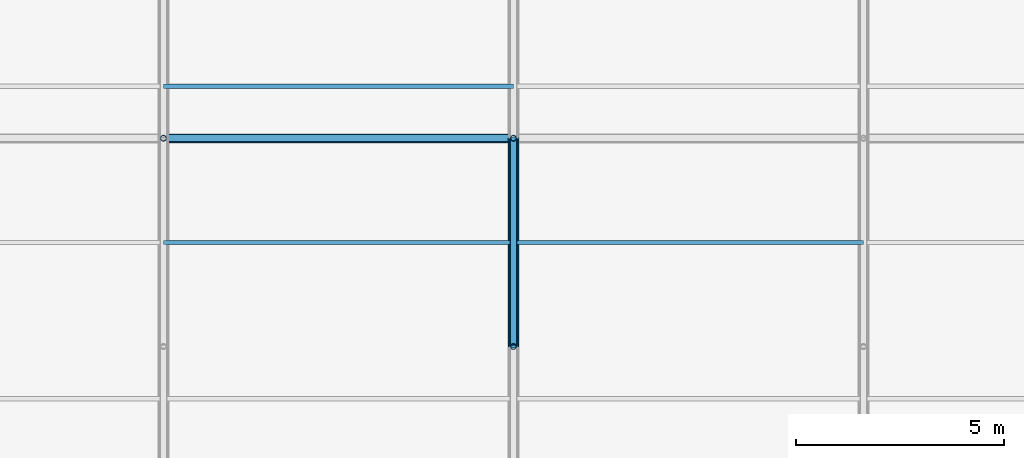
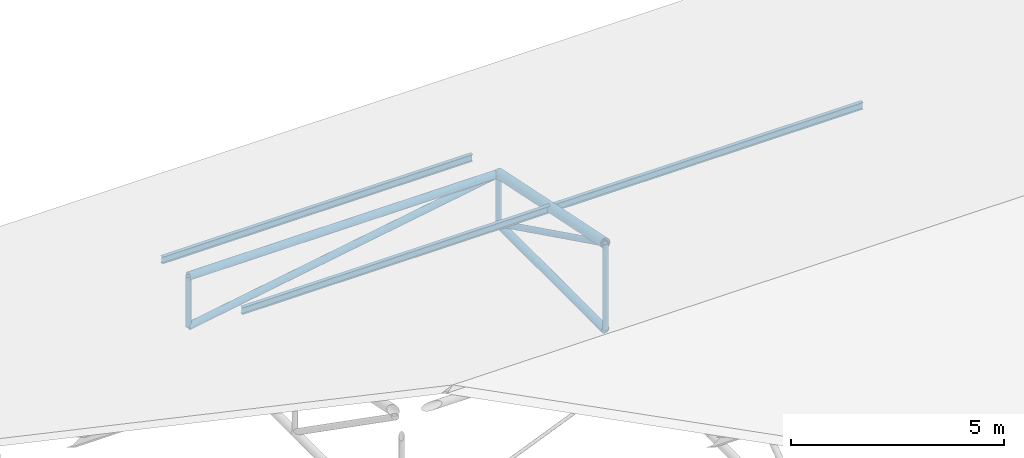
# One storey, part 61 of 194: 8 members, 3 beams.
"""IFC4 building model written with IfcOpenShell, lengths in metres."""

from ifc_helpers import new_model, si_unit, direction, frame, origin, origin_2d, place, context, subcontext, project, spatial, hollow_circle, i_section, extrude, material, material_profile, profile_set, type_object, element, save


model = new_model("IFC4")

# Units and contexts
model_context = context("Model", 3, precision=1e-05, world=origin(), true_north=direction((0.0, 1.0)))
body_context = subcontext(model_context, "Body", "Model", "MODEL_VIEW")
ifc_project = project(units=[si_unit("LENGTHUNIT", "METRE"), si_unit("AREAUNIT", "SQUARE_METRE"), si_unit("VOLUMEUNIT", "CUBIC_METRE"), si_unit("PLANEANGLEUNIT", "RADIAN"), si_unit("MASSUNIT", "GRAM", prefix="KILO")], contexts=[model_context])

# Site, building, storey
site_placement = place(None, origin())
site = spatial("IfcSite", under=ifc_project, at=site_placement, CompositionType="ELEMENT")
building_placement = place(site_placement, origin())
building = spatial("IfcBuilding", under=site, at=building_placement, Name="Kazenagashi Tramway Depot", CompositionType="ELEMENT")
storey_placement = place(building_placement, frame((0.0, 0.0, 23.7)))
storey = spatial("IfcBuildingStorey", under=building, at=storey_placement, Name="ROOF", CompositionType="ELEMENT", Elevation=23.7)

# Beams
ifc_material_1 = material(Name="Steel SN400B", Category="steel")
ifc_material_profile_1 = material_profile(ifc_material_1, i_section(OverallWidth=0.1, OverallDepth=0.2, WebThickness=0.0055, FlangeThickness=0.008, at=origin_2d()), Name="H-200x100x5.5x8")
ifc_profile_set_1 = profile_set([ifc_material_profile_1], Name="Steel SN400B")
beam_type = type_object("IfcBeamType", Name="PR-01", PredefinedType="USERDEFINED", material=ifc_profile_set_1)
for number, where, z_axis, x_axis, name in (
    (1, (112.0, 122.5, -12.13), (1.0, 0.0, 0.0), (0.0, 1.0, 0.0), "Beam PR-01 BM-2206"),
    (2, (120.4, 122.5, -12.13), (1.0, 0.0, 0.0), (0.0, 1.0, 0.0), "Beam PR-01 BM-2207"),
    (3, (112.0, 126.25, -12.955), (1.0, 0.0, 0.0), (0.0, 1.0, 0.0), "Beam PR-01 BM-2224"),
):
    element("IfcBeam", number, at=place(storey_placement, frame(where, z_axis=z_axis, x_axis=x_axis)), inside=storey, type_object=beam_type, Name=name, ObjectType="PURLIN", PredefinedType="USERDEFINED", context=body_context, shape_type="SweptSolid", body=[
        extrude(i_section(OverallWidth=0.1, OverallDepth=0.2, WebThickness=0.0055, FlangeThickness=0.008, at=origin_2d()), origin(), (0.0, 0.0, 1.0), 8.4),
    ])

# Members
ifc_material_2 = material(Name="Steel STK490", Category="steel")
ifc_material_profile_2 = material_profile(ifc_material_2, hollow_circle(Radius=0.1337, WallThickness=0.0093, at=origin_2d()), Name="CHS-267.4x9.3")
ifc_profile_set_2 = profile_set([ifc_material_profile_2], Name="Steel STK490")
member_type_1 = type_object("IfcMemberType", Name="TC-01", PredefinedType="CHORD", material=ifc_profile_set_2)
member_1_placement = place(storey_placement, frame((120.4, 120.0, -11.633), z_axis=(0.0, 0.979279174591, -0.202514933305), x_axis=(-1.0, 0.0, 0.0)))
element("IfcMember", 4, at=member_1_placement, inside=storey, type_object=member_type_1, Name="Tubular Space Frame TC-01 MEM-0593", PredefinedType="CHORD", context=body_context, shape_type="SweptSolid", body=[
    extrude(hollow_circle(Radius=0.1337, WallThickness=0.0093, at=origin_2d()), origin(), (0.0, 0.0, 1.0), 5.105796),
])
ifc_material_profile_3 = material_profile(ifc_material_2, hollow_circle(Radius=0.10815, WallThickness=0.0082, at=origin_2d()), Name="CHS-216.3x8.2")
ifc_profile_set_3 = profile_set([ifc_material_profile_3], Name="Steel STK490")
member_type_2 = type_object("IfcMemberType", Name="TC-02", PredefinedType="CHORD", material=ifc_profile_set_3)
member_2_placement = place(storey_placement, frame((112.0, 125.0, -12.667), z_axis=(1.0, 0.0, 0.0), x_axis=(0.0, 1.0, 0.0)))
element("IfcMember", 5, at=member_2_placement, inside=storey, type_object=member_type_2, Name="Tubular Space Frame TC-02 MEM-0548", PredefinedType="CHORD", context=body_context, shape_type="SweptSolid", body=[
    extrude(hollow_circle(Radius=0.10815, WallThickness=0.0082, at=origin_2d()), origin(), (0.0, 0.0, 1.0), 8.4),
])
member_3_placement = place(storey_placement, frame((120.4, 120.0, -14.1), z_axis=(0.0, 1.0, 0.0), x_axis=(-1.0, 0.0, 0.0)))
element("IfcMember", 6, at=member_3_placement, inside=storey, type_object=member_type_2, Name="Tubular Space Frame TC-02 MEM-0594", PredefinedType="CHORD", context=body_context, shape_type="SweptSolid", body=[
    extrude(hollow_circle(Radius=0.10815, WallThickness=0.0082, at=origin_2d()), origin(), (0.0, 0.0, 1.0), 5.0),
])
ifc_material_profile_4 = material_profile(ifc_material_2, hollow_circle(Radius=0.0826, WallThickness=0.0071, at=origin_2d()), Name="CHS-165.2x7.1")
ifc_profile_set_4 = profile_set([ifc_material_profile_4], Name="Steel STK490")
member_type_3 = type_object("IfcMemberType", Name="TS-01", PredefinedType="STRUT", material=ifc_profile_set_4)
member_4_placement = place(storey_placement, frame((120.4, 120.0, -11.633), z_axis=(0.0, 0.896782162482, -0.442472318969), x_axis=(-1.0, 0.0, 0.0)))
element("IfcMember", 7, at=member_4_placement, inside=storey, type_object=member_type_3, Name="Tubular Space Frame TS-01 MEM-0595", PredefinedType="STRUT", context=body_context, shape_type="SweptSolid", body=[
    extrude(hollow_circle(Radius=0.0826, WallThickness=0.0071, at=origin_2d()), origin(), (0.0, 0.0, 1.0), 5.57549),
])
ifc_material_profile_5 = material_profile(ifc_material_2, hollow_circle(Radius=0.0699, WallThickness=0.0066, at=origin_2d()), Name="CHS-139.8x6.6")
ifc_profile_set_5 = profile_set([ifc_material_profile_5], Name="Steel STK490")
member_type_4 = type_object("IfcMemberType", Name="TS-02", PredefinedType="STRUT", material=ifc_profile_set_5)
member_5_placement = place(storey_placement, frame((112.0, 125.0, -14.1), z_axis=(0.0, 0.0, 1.0), x_axis=(1.0, 0.0, 0.0)))
element("IfcMember", 8, at=member_5_placement, inside=storey, type_object=member_type_4, Name="Tubular Space Frame TS-02 MEM-0542", PredefinedType="STRUT", context=body_context, shape_type="SweptSolid", body=[
    extrude(hollow_circle(Radius=0.0699, WallThickness=0.0066, at=origin_2d()), origin(), (0.0, 0.0, 1.0), 1.433),
])
member_6_placement = place(storey_placement, frame((120.4, 120.0, -14.1), z_axis=(0.0, 0.0, 1.0), x_axis=(1.0, 0.0, 0.0)))
element("IfcMember", 9, at=member_6_placement, inside=storey, type_object=member_type_4, Name="Tubular Space Frame TS-02 MEM-0602", PredefinedType="STRUT", context=body_context, shape_type="SweptSolid", body=[
    extrude(hollow_circle(Radius=0.0699, WallThickness=0.0066, at=origin_2d()), origin(), (0.0, 0.0, 1.0), 2.467),
])
member_7_placement = place(storey_placement, frame((120.4, 125.0, -14.1), z_axis=(0.0, 0.0, 1.0), x_axis=(1.0, 0.0, 0.0)))
element("IfcMember", 10, at=member_7_placement, inside=storey, type_object=member_type_4, Name="Tubular Space Frame TS-02 MEM-0603", PredefinedType="STRUT", context=body_context, shape_type="SweptSolid", body=[
    extrude(hollow_circle(Radius=0.0699, WallThickness=0.0066, at=origin_2d()), origin(), (0.0, 0.0, 1.0), 1.433),
])
ifc_material_profile_6 = material_profile(ifc_material_2, hollow_circle(Radius=0.09535, WallThickness=0.007, at=origin_2d()), Name="CHS-190.7x7.0")
ifc_profile_set_6 = profile_set([ifc_material_profile_6], Name="Steel STK490")
member_type_5 = type_object("IfcMemberType", Name="TS-05", PredefinedType="STRUT", material=ifc_profile_set_6)
member_8_placement = place(storey_placement, frame((112.0, 125.0, -14.1), z_axis=(0.985758734117, 0.0, 0.168165745951), x_axis=(0.0, 1.0, 0.0)))
element("IfcMember", 11, at=member_8_placement, inside=storey, type_object=member_type_5, Name="Tubular Space Frame TS-05 MEM-0549", PredefinedType="STRUT", context=body_context, shape_type="SweptSolid", body=[
    extrude(hollow_circle(Radius=0.09535, WallThickness=0.007, at=origin_2d()), origin(), (0.0, 0.0, 1.0), 8.521355),
])

save(model, "model.ifc")
